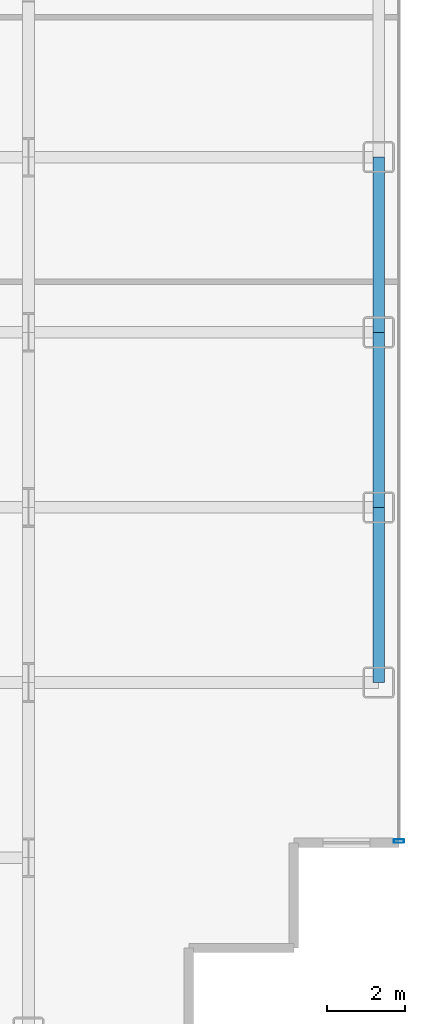
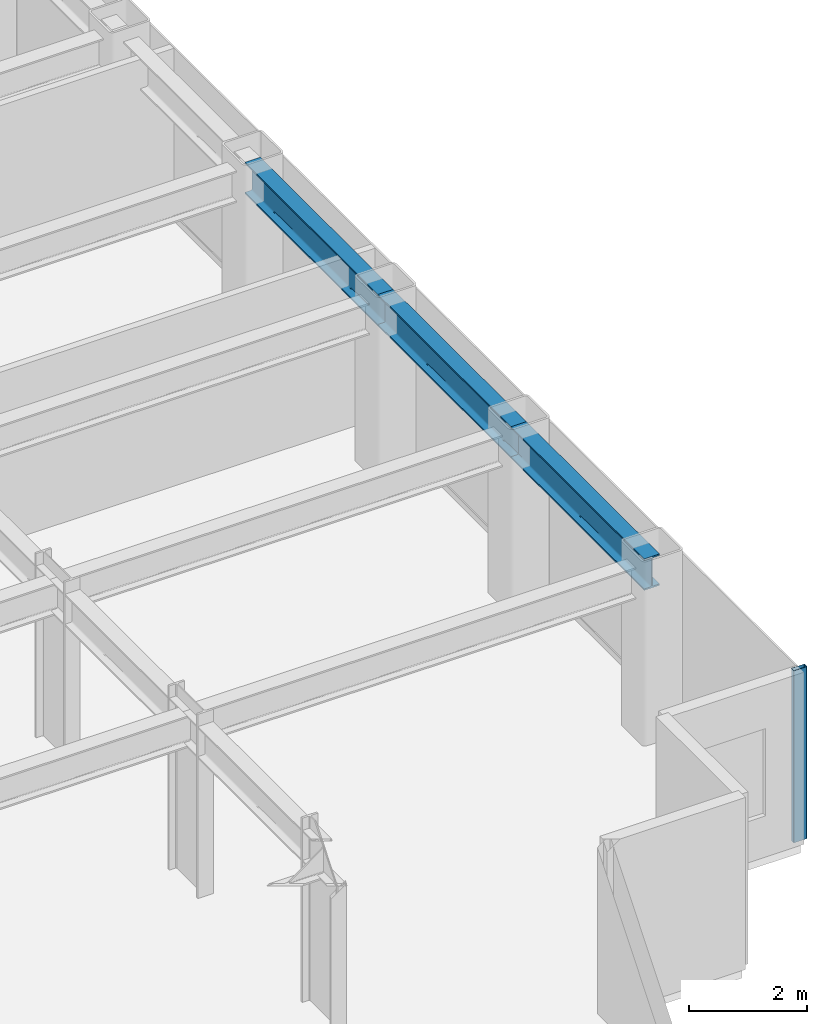
# One storey, part 16 of 25: 3 beams, 1 member, 1 element without a shape of its own.
"""IFC4 building model written with IfcOpenShell, lengths in metres."""

from ifc_helpers import new_model, si_unit, direction, frame, origin, origin_2d, place, context, subcontext, project, spatial, hollow_rectangle, i_section, extrude, source, transform, mapped, material, layer, layer_set, material_profile, profile_set, type_object, element, aggregate, save


model = new_model("IFC4")

# Units and contexts
model_context = context("Model", 3, precision=1e-05, world=origin(), true_north=direction((0.0, 1.0)))
body_context = subcontext(model_context, "Body", "Model", "MODEL_VIEW")
ifc_project = project(units=[si_unit("LENGTHUNIT", "METRE"), si_unit("AREAUNIT", "SQUARE_METRE"), si_unit("VOLUMEUNIT", "CUBIC_METRE"), si_unit("PLANEANGLEUNIT", "RADIAN"), si_unit("MASSUNIT", "GRAM", prefix="KILO")], contexts=[model_context])

# Site, building, storey
site_placement = place(None, origin())
site = spatial("IfcSite", under=ifc_project, at=site_placement, CompositionType="ELEMENT")
building_placement = place(site_placement, origin())
building = spatial("IfcBuilding", under=site, at=building_placement, Name="Nefas-Gora Pilgrimage Tower", CompositionType="ELEMENT")
storey_placement = place(building_placement, frame((0.0, 0.0, 109.800048828125)))
storey = spatial("IfcBuildingStorey", under=building, at=storey_placement, Name="L26", CompositionType="ELEMENT", Elevation=109.800048828125)

# Beams
ifc_material_1 = material(Name="Steel S355", Category="steel")
ifc_material_profile_1 = material_profile(ifc_material_1, i_section(OverallWidth=0.300048828125, OverallDepth=0.64990234375, WebThickness=0.01611328125, FlangeThickness=0.031005859375, FilletRadius=0.027099609375, at=origin_2d()), Name="HEB 650")
ifc_profile_set_1 = profile_set([ifc_material_profile_1], Name="Steel S355")
beam_type = type_object("IfcBeamType", Name="BM-SPN-HEB500", PredefinedType="SPANDREL", material=ifc_profile_set_1)
shared_shape_1 = source(origin(), body_context, "Body", "SweptSolid", [
    extrude(i_section(OverallWidth=0.300048828125, OverallDepth=0.64990234375, WebThickness=0.01611328125, FlangeThickness=0.031005859375, FilletRadius=0.027099609375, at=origin_2d()), origin(), (0.0, 0.0, 1.0), 4.5),
])
for number, where, z_axis, x_axis, name in (
    (1, (33.75, -13.5, 3.224853515625), (0.0, 1.0, 0.0), (-1.0, 0.0, 0.0), "L26 SP-02 beam"),
    (2, (33.75, -9.0, 3.224853515625), (0.0, 1.0, 0.0), (-1.0, 0.0, 0.0), "L26 SP-02 beam"),
    (3, (33.75, -4.5, 3.224853515625), (0.0, 1.0, 0.0), (-1.0, 0.0, 0.0), "L26 SP-02 beam"),
):
    element("IfcBeam", number, at=place(storey_placement, frame(where, z_axis=z_axis, x_axis=x_axis)), inside=storey, type_object=beam_type, Name=name, PredefinedType="SPANDREL", context=body_context, shape_type="MappedRepresentation", body=[
        mapped(shared_shape_1, transform((0.0, 0.0, 0.0), x_axis=(1.0, 0.0, 0.0), y_axis=(0.0, 1.0, 0.0), z_axis=(0.0, 0.0, 1.0), scale=1.0)),
    ])

# Curtain wall, member
ifc_material_2 = material(Name="Dark ceramic-fritted solar-control aluminium-glass curtain wall", Category="aluminium")
ifc_layer = layer(ifc_material_2, 0.219970703125)
ifc_layer_set = layer_set([ifc_layer], Name="Dark ceramic-fritted solar-control aluminium-glass curtain wall")
curtain_wall_type = type_object("IfcCurtainWallType", Name="CW-SYS-2", PredefinedType="NOTDEFINED", material=ifc_layer_set)
curtain_wall_placement = place(storey_placement, origin())
curtain_wall = element("IfcCurtainWall", 4, at=curtain_wall_placement, inside=storey, type_object=curtain_wall_type, Name="L26 Unitised Curtain Wall CW2", PredefinedType="NOTDEFINED")
ifc_material_3 = material(Name="Anodised architectural aluminium", Category="aluminium")
ifc_material_profile_2 = material_profile(ifc_material_3, hollow_rectangle(XDim=0.090087890625, YDim=0.260009765625, WallThickness=0.006103515625, InnerFilletRadius=0.006103515625, OuterFilletRadius=0.011962890625, at=origin_2d()), Name="ALU MULLION 90x260")
ifc_profile_set_2 = profile_set([ifc_material_profile_2], Name="Anodised architectural aluminium")
member_type = type_object("IfcMemberType", Name="CWM-MUL-2", PredefinedType="MULLION", material=ifc_profile_set_2)
shared_shape_2 = source(origin(), body_context, "Body", "SweptSolid", [
    extrude(hollow_rectangle(XDim=0.090087890625, YDim=0.260009765625, WallThickness=0.006103515625, InnerFilletRadius=0.006103515625, OuterFilletRadius=0.011962890625, at=origin_2d()), origin(), (0.0, 0.0, 1.0), 3.550048828125),
])
member_placement = place(storey_placement, frame((34.27001953125, -17.574951171875, 0.0), z_axis=(0.0, 0.0, 1.0), x_axis=(0.0, 1.0, 0.0)))
member = element("IfcMember", 5, at=member_placement, type_object=member_type, Name="CW2 Mullion 1", PredefinedType="MULLION", context=body_context, shape_type="MappedRepresentation", body=[
    mapped(shared_shape_2, transform((0.0, 0.0, 0.0), x_axis=(1.0, 0.0, 0.0), y_axis=(0.0, 1.0, 0.0), z_axis=(0.0, 0.0, 1.0), scale=1.0)),
])
aggregate(curtain_wall, [member])

save(model, "model.ifc")
